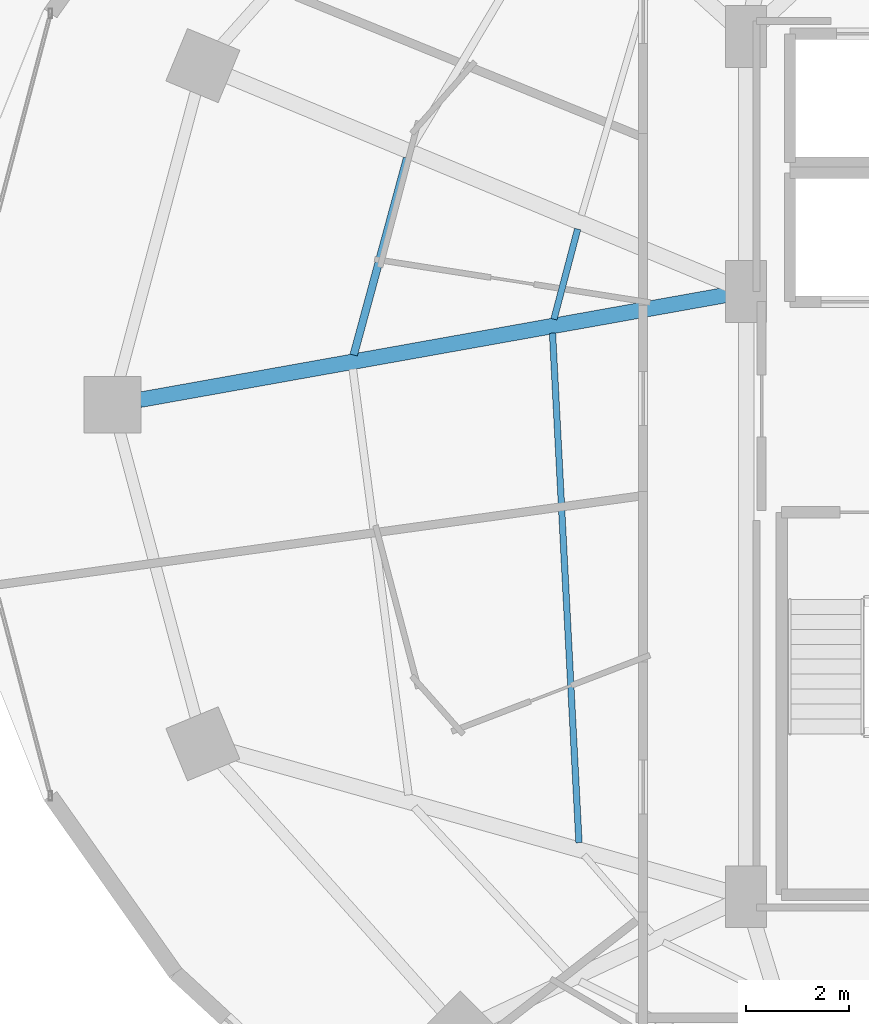
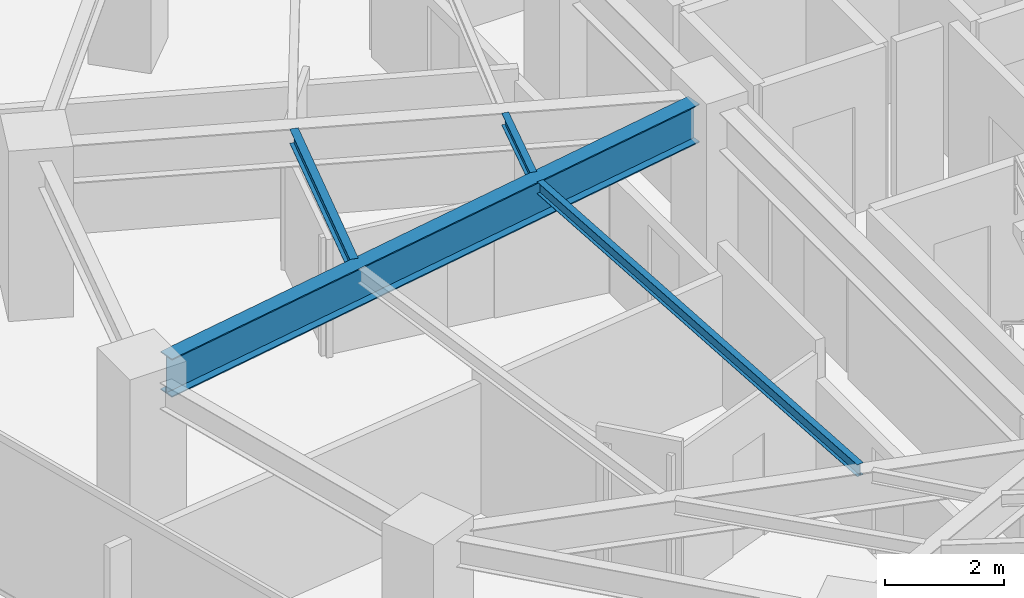
# One storey, part 7 of 30: 4 beams.
"""IFC4 building model written with IfcOpenShell, lengths in metres."""

import ifcopenshell
import ifcopenshell.guid

model = None  # the IFC model being written
_history = None  # IfcOwnerHistory: only IFC2X3 demands one
_inside = {}  # id of a spatial element -> (the spatial element, [elements in it])
_under = {}  # id of a project, library or spatial element -> (it, [spatial elements below it])
_declared = {}  # id of a project -> (the project, [libraries it declares])
_typed = {}  # id of a type object -> (the type object, [elements of that type])
_made_of = {}  # id of a material, layer set ... -> (it, [elements and type objects made of it])


def new_model(schema):
    """Start an empty IFC model of exactly this schema.

    Asked for "IFC4X3", IfcOpenShell would pick the latest addendum, in which some entities
    have other attributes; the version numbers below select the first issue.
    IFC2X3 requires an IfcOwnerHistory on every rooted entity: one is made here for all.
    """
    global model, _history
    if schema == "IFC4X3":
        model = ifcopenshell.file(schema_version=(4, 3, 0, 0))
    else:
        model = ifcopenshell.file(schema=schema)
    _inside.clear()
    _under.clear()
    _declared.clear()
    _typed.clear()
    _made_of.clear()
    _history = None
    if model.schema == "IFC2X3":
        org = make("IfcOrganization", Name="unknown")
        user = make(
            "IfcPersonAndOrganization",
            ThePerson=make("IfcPerson", FamilyName="unknown"),
            TheOrganization=org,
        )
        app = make(
            "IfcApplication",
            ApplicationDeveloper=org,
            Version="unknown",
            ApplicationFullName="unknown",
            ApplicationIdentifier="unknown",
        )
        _history = make(
            "IfcOwnerHistory",
            OwningUser=user,
            OwningApplication=app,
            ChangeAction="ADDED",
            CreationDate=0,
        )
    return model


def make(cls, **values):
    """One entity of the class cls with the attributes given. An attribute that is None is left unset."""
    return model.create_entity(
        cls, **{name: value for name, value in values.items() if value is not None}
    )


def rooted(cls, **values):
    """An entity with a GlobalId (a new one), such as an element, a storey or a relation."""
    return make(cls, GlobalId=ifcopenshell.guid.new(), OwnerHistory=_history, **values)


def si_unit(unit_type, name, prefix=None):
    """IfcSIUnit, for example si_unit("LENGTHUNIT", "METRE", prefix="MILLI")."""
    return make("IfcSIUnit", UnitType=unit_type, Prefix=prefix, Name=name)


def assignment(units):
    """IfcUnitAssignment: the units of a project."""
    return None if units is None else make("IfcUnitAssignment", Units=units)


def point(xyz):
    """IfcCartesianPoint."""
    return None if xyz is None else make("IfcCartesianPoint", Coordinates=xyz)


def direction(xyz):
    """IfcDirection."""
    return None if xyz is None else make("IfcDirection", DirectionRatios=xyz)


def frame(location, z_axis=None, x_axis=None):
    """IfcAxis2Placement3D, a coordinate frame: its origin and axes. An axis left out is left unset."""
    return make(
        "IfcAxis2Placement3D",
        Location=point(location),
        Axis=direction(z_axis),
        RefDirection=direction(x_axis),
    )


def frame_2d(location, x_axis=None):
    """IfcAxis2Placement2D, a coordinate frame in the plane: its origin and x axis."""
    return make(
        "IfcAxis2Placement2D", Location=point(location), RefDirection=direction(x_axis)
    )


def origin():
    """The frame at (0, 0, 0) with its axes left unset."""
    return frame((0.0, 0.0, 0.0))


def origin_2d():
    """The frame at (0, 0) in the plane with its x axis left unset."""
    return frame_2d((0.0, 0.0))


def place(relative_to, where):
    """IfcLocalPlacement: puts the frame where relative to a parent placement (None: the world)."""
    return make(
        "IfcLocalPlacement", PlacementRelTo=relative_to, RelativePlacement=where
    )


def context(
    kind, dimensions, precision=None, world=None, true_north=None, identifier=None
):
    """IfcGeometricRepresentationContext, for example the 3D "Model" context."""
    return make(
        "IfcGeometricRepresentationContext",
        ContextIdentifier=identifier,
        ContextType=kind,
        CoordinateSpaceDimension=dimensions,
        Precision=precision,
        WorldCoordinateSystem=world,
        TrueNorth=true_north,
    )


def subcontext(parent, identifier, kind, view, scale=None):
    """IfcGeometricRepresentationSubContext, for example "Body" below "Model"."""
    return make(
        "IfcGeometricRepresentationSubContext",
        ContextIdentifier=identifier,
        ContextType=kind,
        ParentContext=parent,
        TargetScale=scale,
        TargetView=view,
    )


def project(units=None, contexts=None):
    """IfcProject with its units and contexts."""
    return rooted(
        "IfcProject",
        Name="project",
        RepresentationContexts=contexts,
        UnitsInContext=assignment(units),
    )


def spatial(cls, under=None, at=None, **own):
    """A site, building, storey or space (cls), placed at a placement, below another one or the project."""
    s = rooted(cls, ObjectPlacement=at, **own)
    if under is not None:
        _under.setdefault(under.id(), (under, []))[1].append(s)
    return s


def profile(cls, at=None, kind="AREA", **sizes):
    """A parametric profile (cls). Its sizes go by their IFC names, for example OverallWidth=200.0."""
    return make(cls, ProfileType=kind, Position=at, **sizes)


def i_section(**sizes):
    """IfcIShapeProfileDef."""
    return profile("IfcIShapeProfileDef", **sizes)


def extrude(swept, where, along, depth):
    """IfcExtrudedAreaSolid: the profile swept, set in the frame where, extruded along a direction by depth."""
    return make(
        "IfcExtrudedAreaSolid",
        SweptArea=swept,
        Position=where,
        ExtrudedDirection=direction(along),
        Depth=depth,
    )


def shape(context_of_items, identifier, shape_type, items):
    """IfcShapeRepresentation: the items that make up one representation, for example the "Body"."""
    return make(
        "IfcShapeRepresentation",
        ContextOfItems=context_of_items,
        RepresentationIdentifier=identifier,
        RepresentationType=shape_type,
        Items=items,
    )


def material(Name=None, Category=None):
    """IfcMaterial."""
    return make("IfcMaterial", Name=Name, Category=Category)


def material_profile(
    of_material, cross_section, Name=None, Category=None, Priority=None
):
    """IfcMaterialProfile: a cross section and its material."""
    return make(
        "IfcMaterialProfile",
        Name=Name,
        Material=of_material,
        Profile=cross_section,
        Priority=Priority,
        Category=Category,
    )


def profile_set(profiles, Name=None, composite=None):
    """IfcMaterialProfileSet."""
    return make(
        "IfcMaterialProfileSet",
        Name=Name,
        MaterialProfiles=profiles,
        CompositeProfile=composite,
    )


def made_of(thing, what):
    """Note that an element or type object is made of a material, layer set ...; save() writes the relation."""
    if what is not None:
        _made_of.setdefault(what.id(), (what, []))[1].append(thing)
    return thing


def type_object(cls, material=None, **own):
    """A type object (cls), such as IfcWallType, which elements share."""
    return made_of(rooted(cls, **own), material)


def element(
    cls,
    number,
    at=None,
    inside=None,
    cuts=None,
    type_object=None,
    material=None,
    context=None,
    identifier="Body",
    shape_type=None,
    held_by="IfcProductDefinitionShape",
    body=None,
    shapes=None,
    **own,
):
    """One element of the class cls, such as IfcWall. Its Tag is "e" and its number.

    at: its placement. inside: the storey or other place that contains it. cuts: it is an
    opening in that element (IfcRelVoidsElement). A single representation is given by context,
    identifier, shape_type and body (its items); several are given by shapes. held_by: the class
    of the entity that holds the representations. save() writes the other relations.
    """
    e = rooted(cls, Tag="e%d" % number, ObjectPlacement=at, **own)
    if body is not None:
        shapes = [shape(context, identifier, shape_type, body)]
    if shapes is not None:
        e.Representation = make(held_by, Representations=shapes)
    if inside is not None:
        _inside.setdefault(inside.id(), (inside, []))[1].append(e)
    if cuts is not None:
        rooted(
            "IfcRelVoidsElement", RelatingBuildingElement=cuts, RelatedOpeningElement=e
        )
    if type_object is not None:
        _typed.setdefault(type_object.id(), (type_object, []))[1].append(e)
    return made_of(e, material)


def aggregate(whole, parts):
    """IfcRelAggregates: a whole, such as a stair, and the parts it consists of."""
    return rooted("IfcRelAggregates", RelatingObject=whole, RelatedObjects=parts)


def save(model, path):
    """Write the relations noted so far, then the file.

    IfcRelAggregates (storeys below a building ...), IfcRelContainedInSpatialStructure (elements
    in a storey), IfcRelDefinesByType, IfcRelAssociatesMaterial and IfcRelDeclares: one each for
    every whole, place, type object, material and project.
    """
    for whole, parts in _under.values():
        aggregate(whole, parts)
    for where, things in _inside.values():
        rooted(
            "IfcRelContainedInSpatialStructure",
            RelatedElements=things,
            RelatingStructure=where,
        )
    for kind, things in _typed.values():
        rooted("IfcRelDefinesByType", RelatedObjects=things, RelatingType=kind)
    for what, things in _made_of.values():
        rooted("IfcRelAssociatesMaterial", RelatedObjects=things, RelatingMaterial=what)
    for by, libraries in _declared.values():
        rooted("IfcRelDeclares", RelatingContext=by, RelatedDefinitions=libraries)
    model.write(path)


model = new_model("IFC4")

# Units and contexts
model_context = context("Model", 3, precision=1e-05, world=origin(), true_north=direction((0.0, 1.0)))
body_context = subcontext(model_context, "Body", "Model", "MODEL_VIEW")
ifc_project = project(units=[si_unit("LENGTHUNIT", "METRE"), si_unit("AREAUNIT", "SQUARE_METRE"), si_unit("VOLUMEUNIT", "CUBIC_METRE"), si_unit("PLANEANGLEUNIT", "RADIAN"), si_unit("MASSUNIT", "GRAM", prefix="KILO")], contexts=[model_context])

# Site, building, storey
site_placement = place(None, origin())
site = spatial("IfcSite", under=ifc_project, at=site_placement, CompositionType="ELEMENT")
building_placement = place(site_placement, origin())
building = spatial("IfcBuilding", under=site, at=building_placement, Name="Vorneva Point Tower", CompositionType="ELEMENT")
storey_placement = place(building_placement, frame((0.0, 0.0, 89.300048828125)))
storey = spatial("IfcBuildingStorey", under=building, at=storey_placement, Name="L23", CompositionType="ELEMENT", Elevation=89.300048828125)

# Beams
ifc_material = material(Name="Steel S355", Category="steel")
ifc_material_profile_1 = material_profile(ifc_material, i_section(OverallWidth=0.300048828125, OverallDepth=0.7880859375, WebThickness=0.014404296875, FlangeThickness=0.02197265625, at=origin_2d()), Name="80Sh1")
ifc_profile_set_1 = profile_set([ifc_material_profile_1], Name="Steel S355")
beam_type_1 = type_object("IfcBeamType", Name="BM-GRD-80Sh1", PredefinedType="USERDEFINED", material=ifc_profile_set_1)
beam_1_placement = place(storey_placement, frame((15.4794921875, 26.0947265625, 2.845947265625), z_axis=(0.984378310682, 0.176066298476, 0.0), x_axis=(-0.176066298476, 0.984378310682, 0.0)))
element("IfcBeam", 1, at=beam_1_placement, inside=storey, type_object=beam_type_1, Name="L23 Radial Primary Girder 09", ObjectType="GIRDER", PredefinedType="USERDEFINED", context=body_context, shape_type="SweptSolid", body=[
    extrude(i_section(OverallWidth=0.300048828125, OverallDepth=0.7880859375, WebThickness=0.014404296875, FlangeThickness=0.02197265625, at=origin_2d()), origin(), (0.0, 0.0, 1.0), 11.6171875),
])
ifc_material_profile_2 = material_profile(ifc_material, i_section(OverallWidth=0.1240234375, OverallDepth=0.248046875, WebThickness=0.0048828125, FlangeThickness=0.008056640625, at=origin_2d()), Name="25B1")
ifc_profile_set_2 = profile_set([ifc_material_profile_2], Name="Steel S355")
beam_type_2 = type_object("IfcBeamType", Name="BM-JST-25B1", PredefinedType="JOIST", material=ifc_profile_set_2)
beam_2_placement = place(storey_placement, frame((23.98046875, 29.41064453125, 3.115966796875), z_axis=(-0.254480022924, -0.967078030943, 0.0), x_axis=(0.967078030943, -0.254480022924, 0.0)))
element("IfcBeam", 2, at=beam_2_placement, inside=storey, type_object=beam_type_2, Name="L23 Secondary Floor Beam 2.08", PredefinedType="JOIST", context=body_context, shape_type="SweptSolid", body=[
    extrude(i_section(OverallWidth=0.1240234375, OverallDepth=0.248046875, WebThickness=0.0048828125, FlangeThickness=0.008056640625, at=origin_2d()), origin(), (0.0, 0.0, 1.0), 1.810302734375),
])
beam_3_placement = place(storey_placement, frame((23.49169921875, 27.388671875, 3.115966796875), z_axis=(0.051893745783, -0.998652611847, 0.0), x_axis=(0.998652611847, 0.051893745783, 0.0)))
element("IfcBeam", 3, at=beam_3_placement, inside=storey, type_object=beam_type_2, Name="L23 Secondary Floor Beam 2.09", PredefinedType="JOIST", context=body_context, shape_type="SweptSolid", body=[
    extrude(i_section(OverallWidth=0.1240234375, OverallDepth=0.248046875, WebThickness=0.0048828125, FlangeThickness=0.008056640625, at=origin_2d()), origin(), (0.0, 0.0, 1.0), 9.9033203125),
])
ifc_material_profile_3 = material_profile(ifc_material, i_section(OverallWidth=0.14892578125, OverallDepth=0.298095703125, WebThickness=0.005615234375, FlangeThickness=0.008056640625, at=origin_2d()), Name="30B1")
ifc_profile_set_3 = profile_set([ifc_material_profile_3], Name="Steel S355")
beam_type_3 = type_object("IfcBeamType", Name="BM-JST-30B1", PredefinedType="JOIST", material=ifc_profile_set_3)
beam_4_placement = place(storey_placement, frame((20.669677734375, 30.7861328125, 3.091064453125), z_axis=(-0.261880909286, -0.965100196535, 0.0), x_axis=(0.965100196535, -0.261880909286, 0.0)))
element("IfcBeam", 4, at=beam_4_placement, inside=storey, type_object=beam_type_3, Name="L23 Secondary Floor Beam 1.08", PredefinedType="JOIST", context=body_context, shape_type="SweptSolid", body=[
    extrude(i_section(OverallWidth=0.14892578125, OverallDepth=0.298095703125, WebThickness=0.005615234375, FlangeThickness=0.008056640625, at=origin_2d()), origin(), (0.0, 0.0, 1.0), 3.960205078125),
])

save(model, "model.ifc")
